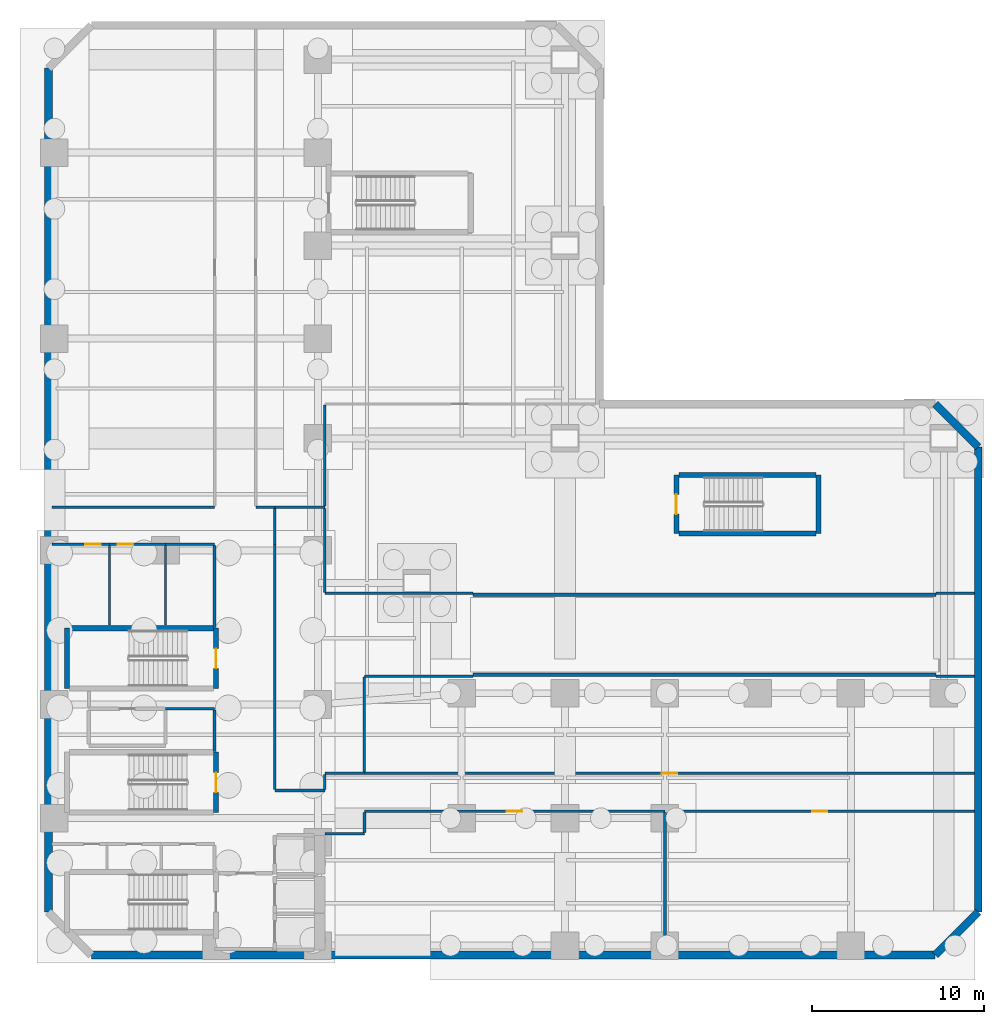
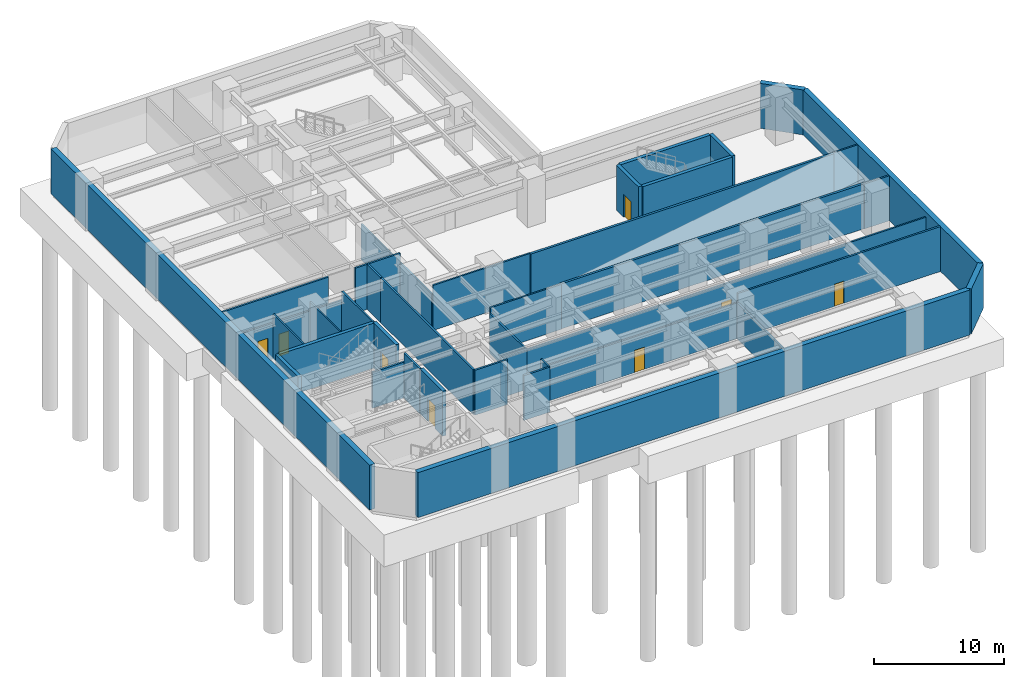
# One storey, part 4 of 10: 44 walls, 8 doors, 8 openings.
"""IFC4 building model written with IfcOpenShell, lengths in metres."""

import ifcopenshell
import ifcopenshell.guid

model = None  # the IFC model being written
_history = None  # IfcOwnerHistory: only IFC2X3 demands one
_inside = {}  # id of a spatial element -> (the spatial element, [elements in it])
_under = {}  # id of a project, library or spatial element -> (it, [spatial elements below it])
_declared = {}  # id of a project -> (the project, [libraries it declares])
_typed = {}  # id of a type object -> (the type object, [elements of that type])
_made_of = {}  # id of a material, layer set ... -> (it, [elements and type objects made of it])


def new_model(schema):
    """Start an empty IFC model of exactly this schema.

    Asked for "IFC4X3", IfcOpenShell would pick the latest addendum, in which some entities
    have other attributes; the version numbers below select the first issue.
    IFC2X3 requires an IfcOwnerHistory on every rooted entity: one is made here for all.
    """
    global model, _history
    if schema == "IFC4X3":
        model = ifcopenshell.file(schema_version=(4, 3, 0, 0))
    else:
        model = ifcopenshell.file(schema=schema)
    _inside.clear()
    _under.clear()
    _declared.clear()
    _typed.clear()
    _made_of.clear()
    _history = None
    if model.schema == "IFC2X3":
        org = make("IfcOrganization", Name="unknown")
        user = make(
            "IfcPersonAndOrganization",
            ThePerson=make("IfcPerson", FamilyName="unknown"),
            TheOrganization=org,
        )
        app = make(
            "IfcApplication",
            ApplicationDeveloper=org,
            Version="unknown",
            ApplicationFullName="unknown",
            ApplicationIdentifier="unknown",
        )
        _history = make(
            "IfcOwnerHistory",
            OwningUser=user,
            OwningApplication=app,
            ChangeAction="ADDED",
            CreationDate=0,
        )
    return model


def make(cls, **values):
    """One entity of the class cls with the attributes given. An attribute that is None is left unset."""
    return model.create_entity(
        cls, **{name: value for name, value in values.items() if value is not None}
    )


def rooted(cls, **values):
    """An entity with a GlobalId (a new one), such as an element, a storey or a relation."""
    return make(cls, GlobalId=ifcopenshell.guid.new(), OwnerHistory=_history, **values)


def si_unit(unit_type, name, prefix=None):
    """IfcSIUnit, for example si_unit("LENGTHUNIT", "METRE", prefix="MILLI")."""
    return make("IfcSIUnit", UnitType=unit_type, Prefix=prefix, Name=name)


def assignment(units):
    """IfcUnitAssignment: the units of a project."""
    return None if units is None else make("IfcUnitAssignment", Units=units)


def point(xyz):
    """IfcCartesianPoint."""
    return None if xyz is None else make("IfcCartesianPoint", Coordinates=xyz)


def direction(xyz):
    """IfcDirection."""
    return None if xyz is None else make("IfcDirection", DirectionRatios=xyz)


def frame(location, z_axis=None, x_axis=None):
    """IfcAxis2Placement3D, a coordinate frame: its origin and axes. An axis left out is left unset."""
    return make(
        "IfcAxis2Placement3D",
        Location=point(location),
        Axis=direction(z_axis),
        RefDirection=direction(x_axis),
    )


def frame_2d(location, x_axis=None):
    """IfcAxis2Placement2D, a coordinate frame in the plane: its origin and x axis."""
    return make(
        "IfcAxis2Placement2D", Location=point(location), RefDirection=direction(x_axis)
    )


def origin():
    """The frame at (0, 0, 0) with its axes left unset."""
    return frame((0.0, 0.0, 0.0))


def place(relative_to, where):
    """IfcLocalPlacement: puts the frame where relative to a parent placement (None: the world)."""
    return make(
        "IfcLocalPlacement", PlacementRelTo=relative_to, RelativePlacement=where
    )


def context(
    kind, dimensions, precision=None, world=None, true_north=None, identifier=None
):
    """IfcGeometricRepresentationContext, for example the 3D "Model" context."""
    return make(
        "IfcGeometricRepresentationContext",
        ContextIdentifier=identifier,
        ContextType=kind,
        CoordinateSpaceDimension=dimensions,
        Precision=precision,
        WorldCoordinateSystem=world,
        TrueNorth=true_north,
    )


def subcontext(parent, identifier, kind, view, scale=None):
    """IfcGeometricRepresentationSubContext, for example "Body" below "Model"."""
    return make(
        "IfcGeometricRepresentationSubContext",
        ContextIdentifier=identifier,
        ContextType=kind,
        ParentContext=parent,
        TargetScale=scale,
        TargetView=view,
    )


def project(units=None, contexts=None):
    """IfcProject with its units and contexts."""
    return rooted(
        "IfcProject",
        Name="project",
        RepresentationContexts=contexts,
        UnitsInContext=assignment(units),
    )


def spatial(cls, under=None, at=None, **own):
    """A site, building, storey or space (cls), placed at a placement, below another one or the project."""
    s = rooted(cls, ObjectPlacement=at, **own)
    if under is not None:
        _under.setdefault(under.id(), (under, []))[1].append(s)
    return s


def profile(cls, at=None, kind="AREA", **sizes):
    """A parametric profile (cls). Its sizes go by their IFC names, for example OverallWidth=200.0."""
    return make(cls, ProfileType=kind, Position=at, **sizes)


def rectangle(**sizes):
    """IfcRectangleProfileDef."""
    return profile("IfcRectangleProfileDef", **sizes)


def extrude(swept, where, along, depth):
    """IfcExtrudedAreaSolid: the profile swept, set in the frame where, extruded along a direction by depth."""
    return make(
        "IfcExtrudedAreaSolid",
        SweptArea=swept,
        Position=where,
        ExtrudedDirection=direction(along),
        Depth=depth,
    )


def shape(context_of_items, identifier, shape_type, items):
    """IfcShapeRepresentation: the items that make up one representation, for example the "Body"."""
    return make(
        "IfcShapeRepresentation",
        ContextOfItems=context_of_items,
        RepresentationIdentifier=identifier,
        RepresentationType=shape_type,
        Items=items,
    )


def material(Name=None, Category=None):
    """IfcMaterial."""
    return make("IfcMaterial", Name=Name, Category=Category)


def layer(
    of_material, thickness, ventilated=None, Name=None, Category=None, Priority=None
):
    """IfcMaterialLayer: one layer of a wall or slab, of a material (None: an air gap)."""
    return make(
        "IfcMaterialLayer",
        Material=of_material,
        LayerThickness=thickness,
        IsVentilated=ventilated,
        Name=Name,
        Category=Category,
        Priority=Priority,
    )


def layer_set(layers, Name=None):
    """IfcMaterialLayerSet."""
    return make("IfcMaterialLayerSet", MaterialLayers=layers, LayerSetName=Name)


def made_of(thing, what):
    """Note that an element or type object is made of a material, layer set ...; save() writes the relation."""
    if what is not None:
        _made_of.setdefault(what.id(), (what, []))[1].append(thing)
    return thing


def type_object(cls, material=None, **own):
    """A type object (cls), such as IfcWallType, which elements share."""
    return made_of(rooted(cls, **own), material)


def element(
    cls,
    number,
    at=None,
    inside=None,
    cuts=None,
    type_object=None,
    material=None,
    context=None,
    identifier="Body",
    shape_type=None,
    held_by="IfcProductDefinitionShape",
    body=None,
    shapes=None,
    **own,
):
    """One element of the class cls, such as IfcWall. Its Tag is "e" and its number.

    at: its placement. inside: the storey or other place that contains it. cuts: it is an
    opening in that element (IfcRelVoidsElement). A single representation is given by context,
    identifier, shape_type and body (its items); several are given by shapes. held_by: the class
    of the entity that holds the representations. save() writes the other relations.
    """
    e = rooted(cls, Tag="e%d" % number, ObjectPlacement=at, **own)
    if body is not None:
        shapes = [shape(context, identifier, shape_type, body)]
    if shapes is not None:
        e.Representation = make(held_by, Representations=shapes)
    if inside is not None:
        _inside.setdefault(inside.id(), (inside, []))[1].append(e)
    if cuts is not None:
        rooted(
            "IfcRelVoidsElement", RelatingBuildingElement=cuts, RelatedOpeningElement=e
        )
    if type_object is not None:
        _typed.setdefault(type_object.id(), (type_object, []))[1].append(e)
    return made_of(e, material)


def fill(opening, filler):
    """IfcRelFillsElement: the door or window that sits in an opening."""
    return rooted(
        "IfcRelFillsElement",
        RelatingOpeningElement=opening,
        RelatedBuildingElement=filler,
    )


def aggregate(whole, parts):
    """IfcRelAggregates: a whole, such as a stair, and the parts it consists of."""
    return rooted("IfcRelAggregates", RelatingObject=whole, RelatedObjects=parts)


def save(model, path):
    """Write the relations noted so far, then the file.

    IfcRelAggregates (storeys below a building ...), IfcRelContainedInSpatialStructure (elements
    in a storey), IfcRelDefinesByType, IfcRelAssociatesMaterial and IfcRelDeclares: one each for
    every whole, place, type object, material and project.
    """
    for whole, parts in _under.values():
        aggregate(whole, parts)
    for where, things in _inside.values():
        rooted(
            "IfcRelContainedInSpatialStructure",
            RelatedElements=things,
            RelatingStructure=where,
        )
    for kind, things in _typed.values():
        rooted("IfcRelDefinesByType", RelatedObjects=things, RelatingType=kind)
    for what, things in _made_of.values():
        rooted("IfcRelAssociatesMaterial", RelatedObjects=things, RelatingMaterial=what)
    for by, libraries in _declared.values():
        rooted("IfcRelDeclares", RelatingContext=by, RelatedDefinitions=libraries)
    model.write(path)


model = new_model("IFC4")

# Units and contexts
model_context = context("Model", 3, precision=1e-05, world=origin(), true_north=direction((0.0, 1.0)))
body_context = subcontext(model_context, "Body", "Model", "MODEL_VIEW")
ifc_project = project(units=[si_unit("LENGTHUNIT", "METRE"), si_unit("AREAUNIT", "SQUARE_METRE"), si_unit("VOLUMEUNIT", "CUBIC_METRE"), si_unit("PLANEANGLEUNIT", "RADIAN"), si_unit("MASSUNIT", "GRAM", prefix="KILO")], contexts=[model_context])

# Site, building, storey
site_placement = place(None, origin())
site = spatial("IfcSite", under=ifc_project, at=site_placement, CompositionType="ELEMENT")
building_placement = place(site_placement, origin())
building = spatial("IfcBuilding", under=site, at=building_placement, Name="Mawjaban Terraces University", CompositionType="ELEMENT")
storey_placement = place(building_placement, frame((0.0, 0.0, -9.0)))
storey = spatial("IfcBuildingStorey", under=building, at=storey_placement, Name="B2", CompositionType="ELEMENT", Elevation=-9.0)

# Walls
ifc_material_1 = material(Name="Concrete C50/60", Category="concrete")
ifc_layer_1 = layer(ifc_material_1, 0.449951171875)
ifc_layer_set_1 = layer_set([ifc_layer_1], Name="Concrete C50/60")
wall_type_1 = type_object("IfcWallType", Name="BsmtRetainingWall_450", PredefinedType="USERDEFINED", material=ifc_layer_set_1)
wall_1_placement = place(storey_placement, frame((24.5, 0.0, 0.0), z_axis=(0.0, 0.0, 1.0), x_axis=(1.0, 0.0, 0.0)))
element("IfcWall", 1, at=wall_1_placement, inside=storey, type_object=wall_type_1, Name="B2 Perimeter Retaining Wall 1", ObjectType="RETAININGWALL", PredefinedType="USERDEFINED", context=body_context, shape_type="SweptSolid", body=[
    extrude(rectangle(XDim=49.0, YDim=0.449951171875, at=frame_2d((24.5, 0.0))), origin(), (0.0, 0.0, 1.0), 4.219970703125),
])
wall_2_placement = place(storey_placement, frame((73.5, 0.0, 0.0), z_axis=(0.0, 0.0, 1.0), x_axis=(0.707106781187, 0.707106781187, 0.0)))
element("IfcWall", 2, at=wall_2_placement, inside=storey, type_object=wall_type_1, Name="B2 Perimeter Retaining Wall 2", ObjectType="RETAININGWALL", PredefinedType="USERDEFINED", context=body_context, shape_type="SweptSolid", body=[
    extrude(rectangle(XDim=3.53564453125, YDim=0.449951171875, at=frame_2d((1.767822265625, 0.0))), origin(), (0.0, 0.0, 1.0), 4.219970703125),
])
wall_3_placement = place(storey_placement, frame((76.0, 2.5, 0.0), z_axis=(0.0, 0.0, 1.0), x_axis=(0.0, 1.0, 0.0)))
element("IfcWall", 3, at=wall_3_placement, inside=storey, type_object=wall_type_1, Name="B2 Perimeter Retaining Wall 3", ObjectType="RETAININGWALL", PredefinedType="USERDEFINED", context=body_context, shape_type="SweptSolid", body=[
    extrude(rectangle(XDim=27.0, YDim=0.449951171875, at=frame_2d((13.5, 0.0))), origin(), (0.0, 0.0, 1.0), 4.219970703125),
])
wall_4_placement = place(storey_placement, frame((76.0, 29.5, 0.0), z_axis=(0.0, 0.0, 1.0), x_axis=(-0.707106781187, 0.707106781187, 0.0)))
element("IfcWall", 4, at=wall_4_placement, inside=storey, type_object=wall_type_1, Name="B2 Perimeter Retaining Wall 4", ObjectType="RETAININGWALL", PredefinedType="USERDEFINED", context=body_context, shape_type="SweptSolid", body=[
    extrude(rectangle(XDim=3.53564453125, YDim=0.449951171875, at=frame_2d((1.767822265625, 0.0))), origin(), (0.0, 0.0, 1.0), 4.219970703125),
])
wall_5_placement = place(storey_placement, frame((22.0, 51.5, 0.0), z_axis=(0.0, 0.0, 1.0), x_axis=(0.0, -1.0, 0.0)))
element("IfcWall", 5, at=wall_5_placement, inside=storey, type_object=wall_type_1, Name="B2 Perimeter Retaining Wall 10", ObjectType="RETAININGWALL", PredefinedType="USERDEFINED", context=body_context, shape_type="SweptSolid", body=[
    extrude(rectangle(XDim=49.0, YDim=0.449951171875, at=frame_2d((24.5, 0.0))), origin(), (0.0, 0.0, 1.0), 4.219970703125),
])

# Wall, opening, door
ifc_material_2 = material(Name="Fire-rated gypsum board on steel stud", Category="steel")
ifc_layer_2 = layer(ifc_material_2, 0.159912109375)
ifc_layer_set_2 = layer_set([ifc_layer_2], Name="Fire-rated gypsum board on steel stud")
wall_type_2 = type_object("IfcWallType", Name="CorridorPartition_160", PredefinedType="PARTITIONING", material=ifc_layer_set_2)
wall_6_placement = place(storey_placement, frame((25.550048828125, 23.85009765625, 0.0), z_axis=(0.0, 0.0, 1.0), x_axis=(-1.0, 0.0, 0.0)))
wall_6 = element("IfcWall", 6, at=wall_6_placement, inside=storey, type_object=wall_type_2, Name="B2 Ablution Room Partition 5", PredefinedType="PARTITIONING", context=body_context, shape_type="SweptSolid", body=[
    extrude(rectangle(XDim=3.330078125, YDim=0.159912109375, at=frame_2d((1.6650390625, 0.0))), origin(), (0.0, 0.0, 1.0), 3.364990234375),
])
opening_1_placement = place(wall_6_placement, frame((0.52490234375, 0.0, 0.0)))
opening_1 = element("IfcOpeningElement", 7, at=opening_1_placement, cuts=wall_6, Name="Opening ID-088", PredefinedType="OPENING", context=body_context, shape_type="SweptSolid", body=[
    extrude(rectangle(XDim=0.8798828125, YDim=2.10009765625, at=frame_2d((0.43994140625, 1.050048828125))), frame((0.0, 0.08984375, 0.0), z_axis=(0.0, -1.0, 0.0), x_axis=(1.0, 0.0, 0.0)), (0.0, 0.0, 1.0), 0.179931640625),
])
ifc_material_3 = material(Name="Powder-coated steel frame and solid acoustic timber leaf", Category="steel")
door_type_1 = type_object("IfcDoorType", Name="ToiletDoor_880x2100", OperationType="NOTDEFINED", PredefinedType="DOOR", material=ifc_material_3)
door_1_placement = place(opening_1_placement, origin())
door_1 = element("IfcDoor", 8, at=door_1_placement, inside=storey, type_object=door_type_1, Name="B2 Ablution Room Door", OperationType="SINGLE_SWING_RIGHT", OverallHeight=2.10009765625, OverallWidth=0.8798828125, PredefinedType="DOOR", context=body_context, shape_type="SweptSolid", body=[
    extrude(rectangle(XDim=0.8798828125, YDim=2.10009765625, at=frame_2d((0.43994140625, 1.050048828125))), frame((0.0, 0.02490234375, 0.0), z_axis=(0.0, -1.0, 0.0), x_axis=(1.0, 0.0, 0.0)), (0.0, 0.0, 1.0), 0.050048828125),
])
fill(opening_1, door_1)

# Wall
wall_7_placement = place(storey_placement, frame((28.800048828125, 14.300048828125, 0.0), z_axis=(0.0, 0.0, 1.0), x_axis=(1.0, 0.0, 0.0)))
element("IfcWall", 9, at=wall_7_placement, inside=storey, type_object=wall_type_2, Name="B2 Core Riser Access Passage Partition 7", PredefinedType="PARTITIONING", context=body_context, shape_type="SweptSolid", body=[
    extrude(rectangle(XDim=2.849853515625, YDim=0.159912109375, at=frame_2d((1.4248046875, 0.0))), origin(), (0.0, 0.0, 1.0), 3.364990234375),
])

# Wall, opening, door
wall_8_placement = place(storey_placement, frame((28.800048828125, 23.85009765625, 0.0), z_axis=(0.0, 0.0, 1.0), x_axis=(-1.0, 0.0, 0.0)))
wall_8 = element("IfcWall", 10, at=wall_8_placement, inside=storey, type_object=wall_type_2, Name="B2 Cleaner Store Partition 8", PredefinedType="PARTITIONING", context=body_context, shape_type="SweptSolid", body=[
    extrude(rectangle(XDim=3.25, YDim=0.159912109375, at=frame_2d((1.625, 0.0))), origin(), (0.0, 0.0, 1.0), 3.364990234375),
])
opening_2_placement = place(wall_8_placement, frame((1.875, 0.0, 0.0)))
opening_2 = element("IfcOpeningElement", 11, at=opening_2_placement, cuts=wall_8, Name="Opening ID-090", PredefinedType="OPENING", context=body_context, shape_type="SweptSolid", body=[
    extrude(rectangle(XDim=0.89990234375, YDim=2.10009765625, at=frame_2d((0.449951171875, 1.050048828125))), frame((0.0, 0.08984375, 0.0), z_axis=(0.0, -1.0, 0.0), x_axis=(1.0, 0.0, 0.0)), (0.0, 0.0, 1.0), 0.179931640625),
])
door_type_2 = type_object("IfcDoorType", Name="OfficeDoor_900x2100", OperationType="NOTDEFINED", PredefinedType="DOOR", material=ifc_material_3)
door_2_placement = place(opening_2_placement, origin())
door_2 = element("IfcDoor", 12, at=door_2_placement, inside=storey, type_object=door_type_2, Name="B2 Cleaner Store Door", OperationType="SINGLE_SWING_LEFT", OverallHeight=2.10009765625, OverallWidth=0.89990234375, PredefinedType="DOOR", context=body_context, shape_type="SweptSolid", body=[
    extrude(rectangle(XDim=0.89990234375, YDim=2.10009765625, at=frame_2d((0.449951171875, 1.050048828125))), frame((0.0, 0.02490234375, 0.0), z_axis=(0.0, -1.0, 0.0), x_axis=(1.0, 0.0, 0.0)), (0.0, 0.0, 1.0), 0.050048828125),
])
fill(opening_2, door_2)

# Walls
wall_9_placement = place(storey_placement, frame((28.800048828125, 23.85009765625, 0.0), z_axis=(0.0, 0.0, 1.0), x_axis=(1.0, 0.0, 0.0)))
element("IfcWall", 13, at=wall_9_placement, inside=storey, type_object=wall_type_2, Name="B2 North Core Cross-Corridor Partition 9", PredefinedType="PARTITIONING", context=body_context, shape_type="SweptSolid", body=[
    extrude(rectangle(XDim=2.849853515625, YDim=0.159912109375, at=frame_2d((1.4248046875, 0.0))), origin(), (0.0, 0.0, 1.0), 3.364990234375),
])
wall_10_placement = place(storey_placement, frame((31.64990234375, 26.0, 0.0), z_axis=(0.0, 0.0, 1.0), x_axis=(-1.0, 0.0, 0.0)))
element("IfcWall", 14, at=wall_10_placement, inside=storey, type_object=wall_type_2, Name="B2 North Core Cross-Corridor Partition 11", PredefinedType="PARTITIONING", context=body_context, shape_type="SweptSolid", body=[
    extrude(rectangle(XDim=9.429931640625, YDim=0.159912109375, at=frame_2d((4.71484375, 0.0))), origin(), (0.0, 0.0, 1.0), 4.219970703125),
])
wall_11_placement = place(storey_placement, frame((35.14990234375, 26.0, 0.0), z_axis=(0.0, 0.0, 1.0), x_axis=(-1.0, 0.0, 0.0)))
element("IfcWall", 15, at=wall_11_placement, inside=storey, type_object=wall_type_2, Name="B2 North Core Cross-Corridor Partition 13", PredefinedType="PARTITIONING", context=body_context, shape_type="SweptSolid", body=[
    extrude(rectangle(XDim=1.099853515625, YDim=0.159912109375, at=frame_2d((0.5498046875, 0.0))), origin(), (0.0, 0.0, 1.0), 4.219970703125),
])
wall_12_placement = place(storey_placement, frame((38.050048828125, 7.050048828125, 0.0), z_axis=(0.0, 0.0, 1.0), x_axis=(1.0, 0.0, 0.0)))
element("IfcWall", 16, at=wall_12_placement, inside=storey, type_object=wall_type_2, Name="B2 Basement Core East Vestibule Partition 15", PredefinedType="PARTITIONING", context=body_context, shape_type="SweptSolid", body=[
    extrude(rectangle(XDim=2.300048828125, YDim=0.159912109375, at=frame_2d((1.14990234375, 0.0))), origin(), (0.0, 0.0, 1.0), 4.219970703125),
])
wall_13_placement = place(storey_placement, frame((38.050048828125, 9.550048828125, 0.0), z_axis=(0.0, 0.0, 1.0), x_axis=(-1.0, 0.0, 0.0)))
element("IfcWall", 17, at=wall_13_placement, inside=storey, type_object=wall_type_2, Name="B2 Core Stair and Lift Lobby East Partition 16", PredefinedType="PARTITIONING", context=body_context, shape_type="SweptSolid", body=[
    extrude(rectangle(XDim=2.900146484375, YDim=0.159912109375, at=frame_2d((1.4501953125, 0.0))), origin(), (0.0, 0.0, 1.0), 4.219970703125),
])
wall_14_placement = place(storey_placement, frame((40.35009765625, 10.550048828125, 0.0), z_axis=(0.0, 0.0, 1.0), x_axis=(-1.0, 0.0, 0.0)))
element("IfcWall", 18, at=wall_14_placement, inside=storey, type_object=wall_type_2, Name="B2 Basement Core East Vestibule Partition 19", PredefinedType="PARTITIONING", context=body_context, shape_type="SweptSolid", body=[
    extrude(rectangle(XDim=2.300048828125, YDim=0.159912109375, at=frame_2d((1.14990234375, 0.0))), origin(), (0.0, 0.0, 1.0), 3.7509765625),
])

# Wall, opening, door
wall_15_placement = place(storey_placement, frame((57.800048828125, 8.35009765625, 0.0), z_axis=(0.0, 0.0, 1.0), x_axis=(1.0, 0.0, 0.0)))
wall_15 = element("IfcWall", 19, at=wall_15_placement, inside=storey, type_object=wall_type_2, Name="B2 Basement Plant Corridor East Partition 22", PredefinedType="PARTITIONING", context=body_context, shape_type="SweptSolid", body=[
    extrude(rectangle(XDim=17.97998046875, YDim=0.159912109375, at=frame_2d((8.989990234375, 0.0))), origin(), (0.0, 0.0, 1.0), 4.219970703125),
])
opening_3_placement = place(wall_15_placement, frame((8.56494140625, 0.0, 0.0)))
opening_3 = element("IfcOpeningElement", 20, at=opening_3_placement, cuts=wall_15, Name="Opening FD-085", PredefinedType="OPENING", context=body_context, shape_type="SweptSolid", body=[
    extrude(rectangle(XDim=0.85009765625, YDim=2.10009765625, at=frame_2d((0.425048828125, 1.050048828125))), frame((0.0, 0.08984375, 0.0), z_axis=(0.0, -1.0, 0.0), x_axis=(1.0, 0.0, 0.0)), (0.0, 0.0, 1.0), 0.179931640625),
])
ifc_material_4 = material(Name="Powder-coated steel frame and fire-rated steel-faced leaf", Category="steel")
door_type_3 = type_object("IfcDoorType", Name="FireRiserDoor_850x2100", OperationType="NOTDEFINED", PredefinedType="DOOR", material=ifc_material_4)
door_3_placement = place(opening_3_placement, origin())
door_3 = element("IfcDoor", 21, at=door_3_placement, inside=storey, type_object=door_type_3, Name="B2 Fire and Domestic Water Tank Room Door", OperationType="SINGLE_SWING_LEFT", OverallHeight=2.10009765625, OverallWidth=0.85009765625, PredefinedType="DOOR", context=body_context, shape_type="SweptSolid", body=[
    extrude(rectangle(XDim=0.85009765625, YDim=2.10009765625, at=frame_2d((0.425048828125, 1.050048828125))), frame((0.0, 0.02490234375, 0.0), z_axis=(0.0, -1.0, 0.0), x_axis=(1.0, 0.0, 0.0)), (0.0, 0.0, 1.0), 0.050048828125),
])
fill(opening_3, door_3)

# Walls
wall_16_placement = place(storey_placement, frame((31.64990234375, 14.22509765625, 0.0), z_axis=(0.0, 0.0, 1.0), x_axis=(0.0, -1.0, 0.0)))
element("IfcWall", 22, at=wall_16_placement, inside=storey, type_object=wall_type_2, Name="B2 Passenger Lift Lobby Partition 34", PredefinedType="PARTITIONING", context=body_context, shape_type="SweptSolid", body=[
    extrude(rectangle(XDim=2.4150390625, YDim=0.159912109375, at=frame_2d((1.20751953125, 0.0))), origin(), (0.0, 0.0, 1.0), 4.219970703125),
])
wall_17_placement = place(storey_placement, frame((31.64990234375, 23.77490234375, 0.0), z_axis=(0.0, 0.0, 1.0), x_axis=(0.0, -1.0, 0.0)))
element("IfcWall", 23, at=wall_17_placement, inside=storey, type_object=wall_type_2, Name="B2 Passenger Lift Lobby Partition 35", PredefinedType="PARTITIONING", context=body_context, shape_type="SweptSolid", body=[
    extrude(rectangle(XDim=4.764892578125, YDim=0.159912109375, at=frame_2d((2.38232421875, 0.0))), origin(), (0.0, 0.0, 1.0), 4.219970703125),
])
wall_18_placement = place(storey_placement, frame((35.14990234375, 9.625, 0.0), z_axis=(0.0, 0.0, 1.0), x_axis=(0.0, 1.0, 0.0)))
element("IfcWall", 24, at=wall_18_placement, inside=storey, type_object=wall_type_2, Name="B2 Passenger Lift Lobby Partition 38", PredefinedType="PARTITIONING", context=body_context, shape_type="SweptSolid", body=[
    extrude(rectangle(XDim=14.22509765625, YDim=0.159912109375, at=frame_2d((7.112548828125, 0.0))), origin(), (0.0, 0.0, 1.0), 4.219970703125),
])
wall_19_placement = place(storey_placement, frame((35.14990234375, 23.85009765625, 0.0), z_axis=(0.0, 0.0, 1.0), x_axis=(0.0, 1.0, 0.0)))
element("IfcWall", 25, at=wall_19_placement, inside=storey, type_object=wall_type_2, Name="B2 North Core Cross-Corridor Partition 39", PredefinedType="PARTITIONING", context=body_context, shape_type="SweptSolid", body=[
    extrude(rectangle(XDim=2.074951171875, YDim=0.159912109375, at=frame_2d((1.03759765625, 0.0))), origin(), (0.0, 0.0, 1.0), 4.219970703125),
])
wall_20_placement = place(storey_placement, frame((38.050048828125, 10.47509765625, 0.0), z_axis=(0.0, 0.0, 1.0), x_axis=(0.0, -1.0, 0.0)))
element("IfcWall", 26, at=wall_20_placement, inside=storey, type_object=wall_type_2, Name="B2 Basement Core East Vestibule Partition 40", PredefinedType="PARTITIONING", context=body_context, shape_type="SweptSolid", body=[
    extrude(rectangle(XDim=0.85009765625, YDim=0.159912109375, at=frame_2d((0.425048828125, 0.0))), origin(), (0.0, 0.0, 1.0), 3.364990234375),
])
wall_21_placement = place(storey_placement, frame((40.35009765625, 7.125, 0.0), z_axis=(0.0, 0.0, 1.0), x_axis=(0.0, 1.0, 0.0)))
element("IfcWall", 27, at=wall_21_placement, inside=storey, type_object=wall_type_2, Name="B2 Basement Core East Vestibule Partition 43", PredefinedType="PARTITIONING", context=body_context, shape_type="SweptSolid", body=[
    extrude(rectangle(XDim=1.156982421875, YDim=0.159912109375, at=frame_2d((0.57861328125, 0.0))), origin(), (0.0, 0.0, 1.0), 4.219970703125),
])
wall_22_placement = place(storey_placement, frame((57.800048828125, 0.219970703125, 0.0), z_axis=(0.0, 0.0, 1.0), x_axis=(0.0, 1.0, 0.0)))
element("IfcWall", 28, at=wall_22_placement, inside=storey, type_object=wall_type_2, Name="B2 Central Chiller Plant Hall Partition 45", PredefinedType="PARTITIONING", context=body_context, shape_type="SweptSolid", body=[
    extrude(rectangle(XDim=8.054931640625, YDim=0.159912109375, at=frame_2d((4.02734375, 0.0))), origin(), (0.0, 0.0, 1.0), 3.364990234375),
])
ifc_material_5 = material(Name="Concrete C40/50", Category="concrete")
ifc_layer_3 = layer(ifc_material_5, 0.199951171875)
ifc_layer_set_3 = layer_set([ifc_layer_3], Name="Concrete C40/50")
wall_type_3 = type_object("IfcWallType", Name="FireLobbyWall_200", PredefinedType="SOLIDWALL", material=ifc_layer_set_3)
for number, where, z_axis, x_axis, name in (
    (29, (46.64990234375, 16.280029296875, 0.0), (0.0, 0.0, 1.0), (1.0, 0.0, 0.0), "B2 Vehicle Ramp Enclosure Wall S"),
    (30, (46.64990234375, 20.919921875, 0.0), (0.0, 0.0, 1.0), (1.0, 0.0, 0.0), "B2 Vehicle Ramp Enclosure Wall N"),
):
    element("IfcWall", number, at=place(storey_placement, frame(where, z_axis=z_axis, x_axis=x_axis)), inside=storey, type_object=wall_type_3, Name=name, PredefinedType="SOLIDWALL", context=body_context, shape_type="SweptSolid", body=[
        extrude(rectangle(XDim=26.900146484375, YDim=0.199951171875, at=frame_2d((13.4501953125, 0.0))), origin(), (0.0, 0.0, 1.0), 4.219970703125),
    ])
ifc_material_6 = material(Name="Moisture-resistant gypsum board on steel stud", Category="steel")
ifc_layer_4 = layer(ifc_material_6, 0.14501953125)
ifc_layer_set_4 = layer_set([ifc_layer_4], Name="Moisture-resistant gypsum board on steel stud")
wall_type_4 = type_object("IfcWallType", Name="LabPartition_145", PredefinedType="PARTITIONING", material=ifc_layer_set_4)
wall_23_placement = place(storey_placement, frame((35.14990234375, 26.0, 0.0), z_axis=(0.0, 0.0, 1.0), x_axis=(1.0, 0.0, 0.0)))
element("IfcWall", 31, at=wall_23_placement, inside=storey, type_object=wall_type_4, Name="B2 University Central Archive Vault 2 Partition 14", PredefinedType="PARTITIONING", context=body_context, shape_type="SweptSolid", body=[
    extrude(rectangle(XDim=2.900146484375, YDim=0.14501953125, at=frame_2d((1.4501953125, 0.0))), origin(), (0.0, 0.0, 1.0), 4.219970703125),
])
wall_24_placement = place(storey_placement, frame((38.050048828125, 21.0, 0.0), z_axis=(0.0, 0.0, 1.0), x_axis=(1.0, 0.0, 0.0)))
element("IfcWall", 32, at=wall_24_placement, inside=storey, type_object=wall_type_4, Name="B2 Greywater and Condensate Treatment Plant Partition 17", PredefinedType="PARTITIONING", context=body_context, shape_type="SweptSolid", body=[
    extrude(rectangle(XDim=8.599853515625, YDim=0.14501953125, at=frame_2d((4.2998046875, 0.0))), origin(), (0.0, 0.0, 1.0), 4.219970703125),
])

# Wall, opening, door
wall_25_placement = place(storey_placement, frame((40.35009765625, 8.35009765625, 0.0), z_axis=(0.0, 0.0, 1.0), x_axis=(1.0, 0.0, 0.0)))
wall_25 = element("IfcWall", 33, at=wall_25_placement, inside=storey, type_object=wall_type_4, Name="B2 Basement Plant Corridor East Partition 18", PredefinedType="PARTITIONING", context=body_context, shape_type="SweptSolid", body=[
    extrude(rectangle(XDim=17.449951171875, YDim=0.14501953125, at=frame_2d((8.72509765625, 0.0))), origin(), (0.0, 0.0, 1.0), 3.364990234375),
])
opening_4_placement = place(wall_25_placement, frame((8.27490234375, 0.0, 0.0)))
opening_4 = element("IfcOpeningElement", 34, at=opening_4_placement, cuts=wall_25, Name="Opening ID-090", PredefinedType="OPENING", context=body_context, shape_type="SweptSolid", body=[
    extrude(rectangle(XDim=0.89990234375, YDim=2.10009765625, at=frame_2d((0.449951171875, 1.050048828125))), frame((0.0, 0.08251953125, 0.0), z_axis=(0.0, -1.0, 0.0), x_axis=(1.0, 0.0, 0.0)), (0.0, 0.0, 1.0), 0.1650390625),
])
door_4_placement = place(opening_4_placement, origin())
door_4 = element("IfcDoor", 35, at=door_4_placement, inside=storey, type_object=door_type_2, Name="B2 Central Chiller Plant Hall Door", OperationType="SINGLE_SWING_RIGHT", OverallHeight=2.10009765625, OverallWidth=0.89990234375, PredefinedType="DOOR", context=body_context, shape_type="SweptSolid", body=[
    extrude(rectangle(XDim=0.89990234375, YDim=2.10009765625, at=frame_2d((0.449951171875, 1.050048828125))), frame((0.0, 0.02490234375, 0.0), z_axis=(0.0, -1.0, 0.0), x_axis=(1.0, 0.0, 0.0)), (0.0, 0.0, 1.0), 0.050048828125),
])
fill(opening_4, door_4)

# Walls
wall_26_placement = place(storey_placement, frame((46.64990234375, 16.199951171875, 0.0), z_axis=(0.0, 0.0, 1.0), x_axis=(-1.0, 0.0, 0.0)))
element("IfcWall", 36, at=wall_26_placement, inside=storey, type_object=wall_type_4, Name="B2 Medium Voltage Substation Room Partition 20", PredefinedType="PARTITIONING", context=body_context, shape_type="SweptSolid", body=[
    extrude(rectangle(XDim=6.2998046875, YDim=0.14501953125, at=frame_2d((3.14990234375, 0.0))), origin(), (0.0, 0.0, 1.0), 4.219970703125),
])
wall_27_placement = place(storey_placement, frame((73.550048828125, 21.0, 0.0), z_axis=(0.0, 0.0, 1.0), x_axis=(1.0, 0.0, 0.0)))
element("IfcWall", 37, at=wall_27_placement, inside=storey, type_object=wall_type_4, Name="B2 Greywater and Condensate Treatment Plant Partition 23", PredefinedType="PARTITIONING", context=body_context, shape_type="SweptSolid", body=[
    extrude(rectangle(XDim=2.22998046875, YDim=0.14501953125, at=frame_2d((1.114990234375, 0.0))), origin(), (0.0, 0.0, 1.0), 4.219970703125),
])

# Wall, opening, door
wall_28_placement = place(storey_placement, frame((75.780029296875, 10.550048828125, 0.0), z_axis=(0.0, 0.0, 1.0), x_axis=(-1.0, 0.0, 0.0)))
wall_28 = element("IfcWall", 38, at=wall_28_placement, inside=storey, type_object=wall_type_4, Name="B2 Basement Plant Corridor East Partition 24", PredefinedType="PARTITIONING", context=body_context, shape_type="SweptSolid", body=[
    extrude(rectangle(XDim=35.429931640625, YDim=0.14501953125, at=frame_2d((17.71484375, 0.0))), origin(), (0.0, 0.0, 1.0), 3.7509765625),
])
opening_5_placement = place(wall_28_placement, frame((17.264892578125, 0.0, 0.0)))
opening_5 = element("IfcOpeningElement", 39, at=opening_5_placement, cuts=wall_28, Name="Opening ID-090", PredefinedType="OPENING", context=body_context, shape_type="SweptSolid", body=[
    extrude(rectangle(XDim=0.89990234375, YDim=2.10009765625, at=frame_2d((0.449951171875, 1.050048828125))), frame((0.0, 0.08251953125, 0.0), z_axis=(0.0, -1.0, 0.0), x_axis=(1.0, 0.0, 0.0)), (0.0, 0.0, 1.0), 0.1650390625),
])
door_5_placement = place(opening_5_placement, origin())
door_5 = element("IfcDoor", 40, at=door_5_placement, inside=storey, type_object=door_type_2, Name="B2 Medium Voltage Substation Room Door", OperationType="SINGLE_SWING_RIGHT", OverallHeight=2.10009765625, OverallWidth=0.89990234375, PredefinedType="DOOR", context=body_context, shape_type="SweptSolid", body=[
    extrude(rectangle(XDim=0.89990234375, YDim=2.10009765625, at=frame_2d((0.449951171875, 1.050048828125))), frame((0.0, 0.02490234375, 0.0), z_axis=(0.0, -1.0, 0.0), x_axis=(1.0, 0.0, 0.0)), (0.0, 0.0, 1.0), 0.050048828125),
])
fill(opening_5, door_5)

# Walls
wall_29_placement = place(storey_placement, frame((75.780029296875, 16.199951171875, 0.0), z_axis=(0.0, 0.0, 1.0), x_axis=(-1.0, 0.0, 0.0)))
element("IfcWall", 41, at=wall_29_placement, inside=storey, type_object=wall_type_4, Name="B2 Medium Voltage Substation Room Partition 25", PredefinedType="PARTITIONING", context=body_context, shape_type="SweptSolid", body=[
    extrude(rectangle(XDim=2.22998046875, YDim=0.14501953125, at=frame_2d((1.114990234375, 0.0))), origin(), (0.0, 0.0, 1.0), 4.219970703125),
])
wall_30_placement = place(storey_placement, frame((38.050048828125, 25.93310546875, 0.0), z_axis=(0.0, 0.0, 1.0), x_axis=(0.0, -1.0, 0.0)))
element("IfcWall", 42, at=wall_30_placement, inside=storey, type_object=wall_type_4, Name="B2 Greywater and Condensate Treatment Plant Partition 41", PredefinedType="PARTITIONING", context=body_context, shape_type="SweptSolid", body=[
    extrude(rectangle(XDim=4.8662109375, YDim=0.14501953125, at=frame_2d((2.43310546875, 0.0))), origin(), (0.0, 0.0, 1.0), 3.364990234375),
])
wall_31_placement = place(storey_placement, frame((38.050048828125, 31.93310546875, 0.0), z_axis=(0.0, 0.0, 1.0), x_axis=(0.0, -1.0, 0.0)))
element("IfcWall", 43, at=wall_31_placement, inside=storey, type_object=wall_type_4, Name="B2 Greywater and Condensate Treatment Plant Partition 42", PredefinedType="PARTITIONING", context=body_context, shape_type="SweptSolid", body=[
    extrude(rectangle(XDim=5.8662109375, YDim=0.14501953125, at=frame_2d((2.93310546875, 0.0))), origin(), (0.0, 0.0, 1.0), 3.364990234375),
])
wall_32_placement = place(storey_placement, frame((40.35009765625, 16.133056640625, 0.0), z_axis=(0.0, 0.0, 1.0), x_axis=(0.0, -1.0, 0.0)))
element("IfcWall", 44, at=wall_32_placement, inside=storey, type_object=wall_type_4, Name="B2 Medium Voltage Substation Room Partition 44", PredefinedType="PARTITIONING", context=body_context, shape_type="SweptSolid", body=[
    extrude(rectangle(XDim=5.508056640625, YDim=0.14501953125, at=frame_2d((2.75390625, 0.0))), origin(), (0.0, 0.0, 1.0), 3.7509765625),
])
ifc_material_7 = material(Name="Gypsum plasterboard on steel stud", Category="steel")
ifc_layer_5 = layer(ifc_material_7, 0.125)
ifc_layer_set_5 = layer_set([ifc_layer_5], Name="Gypsum plasterboard on steel stud")
wall_type_5 = type_object("IfcWallType", Name="OfficePartition_125", PredefinedType="PARTITIONING", material=ifc_layer_set_5)
wall_33_placement = place(storey_placement, frame((28.800048828125, 19.159912109375, 0.0), z_axis=(0.0, 0.0, 1.0), x_axis=(0.0, 1.0, 0.0)))
element("IfcWall", 45, at=wall_33_placement, inside=storey, type_object=wall_type_5, Name="B2 Cleaner Store Partition 32", PredefinedType="PARTITIONING", context=body_context, shape_type="SweptSolid", body=[
    extrude(rectangle(XDim=4.614990234375, YDim=0.125, at=frame_2d((2.3076171875, 0.0))), origin(), (0.0, 0.0, 1.0), 4.219970703125),
])
ifc_material_8 = material(Name="Concrete C60/75", Category="concrete")
ifc_layer_6 = layer(ifc_material_8, 0.300048828125)
ifc_layer_set_6 = layer_set([ifc_layer_6], Name="Concrete C60/75")
wall_type_6 = type_object("IfcWallType", Name="StairShaftWall_300", PredefinedType="SHEAR", material=ifc_layer_set_6)
wall_34_placement = place(storey_placement, frame((31.580078125, 18.97998046875, 0.0), z_axis=(0.0, 0.0, 1.0), x_axis=(-1.0, 0.0, 0.0)))
element("IfcWall", 46, at=wall_34_placement, inside=storey, type_object=wall_type_6, Name="B2 ST-2 Stair Shaft Wall 1", PredefinedType="SHEAR", context=body_context, shape_type="SweptSolid", body=[
    extrude(rectangle(XDim=8.360107421875, YDim=0.300048828125, at=frame_2d((4.18017578125, 0.0))), origin(), (0.0, 0.0, 1.0), 4.219970703125),
])
wall_35_placement = place(storey_placement, frame((23.070068359375, 18.97998046875, 0.0), z_axis=(0.0, 0.0, 1.0), x_axis=(0.0, -1.0, 0.0)))
element("IfcWall", 47, at=wall_35_placement, inside=storey, type_object=wall_type_6, Name="B2 ST-2 Stair Shaft Wall 2", PredefinedType="SHEAR", context=body_context, shape_type="SweptSolid", body=[
    extrude(rectangle(XDim=3.510009765625, YDim=0.300048828125, at=frame_2d((1.7548828125, 0.0))), origin(), (0.0, 0.0, 1.0), 4.219970703125),
])

# Wall, opening, door
wall_36_placement = place(storey_placement, frame((31.72998046875, 15.469970703125, 0.0), z_axis=(0.0, 0.0, 1.0), x_axis=(0.0, 1.0, 0.0)))
wall_36 = element("IfcWall", 48, at=wall_36_placement, inside=storey, type_object=wall_type_6, Name="B2 ST-2 Stair Shaft Wall 4", PredefinedType="SHEAR", context=body_context, shape_type="SweptSolid", body=[
    extrude(rectangle(XDim=3.510009765625, YDim=0.300048828125, at=frame_2d((1.7548828125, 0.0))), origin(), (0.0, 0.0, 1.0), 4.219970703125),
])
opening_6_placement = place(wall_36_placement, frame((1.179931640625, 0.0, 0.0)))
opening_6 = element("IfcOpeningElement", 49, at=opening_6_placement, cuts=wall_36, Name="Opening FD-115", PredefinedType="OPENING", context=body_context, shape_type="SweptSolid", body=[
    extrude(rectangle(XDim=1.14990234375, YDim=2.14990234375, at=frame_2d((0.574951171875, 1.074951171875))), frame((0.0, 0.159912109375, 0.0), z_axis=(0.0, -1.0, 0.0), x_axis=(1.0, 0.0, 0.0)), (0.0, 0.0, 1.0), 0.320068359375),
])
door_type_4 = type_object("IfcDoorType", Name="FireStairDoor_1150x2150", OperationType="NOTDEFINED", PredefinedType="DOOR", material=ifc_material_4)
door_6_placement = place(opening_6_placement, origin())
door_6 = element("IfcDoor", 50, at=door_6_placement, inside=storey, type_object=door_type_4, Name="B2 ST-2 Pressurised Stair Fire Door", OperationType="SINGLE_SWING_LEFT", OverallHeight=2.14990234375, OverallWidth=1.14990234375, PredefinedType="DOOR", context=body_context, shape_type="SweptSolid", body=[
    extrude(rectangle(XDim=1.14990234375, YDim=2.14990234375, at=frame_2d((0.574951171875, 1.074951171875))), frame((0.0, 0.02490234375, 0.0), z_axis=(0.0, -1.0, 0.0), x_axis=(1.0, 0.0, 0.0)), (0.0, 0.0, 1.0), 0.050048828125),
])
fill(opening_6, door_6)

wall_37_placement = place(storey_placement, frame((31.72998046875, 8.27001953125, 0.0), z_axis=(0.0, 0.0, 1.0), x_axis=(0.0, 1.0, 0.0)))
wall_37 = element("IfcWall", 51, at=wall_37_placement, inside=storey, type_object=wall_type_6, Name="B2 ST-3 Stair Shaft Wall 4", PredefinedType="SHEAR", context=body_context, shape_type="SweptSolid", body=[
    extrude(rectangle(XDim=3.510009765625, YDim=0.300048828125, at=frame_2d((1.7548828125, 0.0))), origin(), (0.0, 0.0, 1.0), 4.219970703125),
])
opening_7_placement = place(wall_37_placement, frame((1.179931640625, 0.0, 0.0)))
opening_7 = element("IfcOpeningElement", 52, at=opening_7_placement, cuts=wall_37, Name="Opening FD-115", PredefinedType="OPENING", context=body_context, shape_type="SweptSolid", body=[
    extrude(rectangle(XDim=1.14990234375, YDim=2.14990234375, at=frame_2d((0.574951171875, 1.074951171875))), frame((0.0, 0.159912109375, 0.0), z_axis=(0.0, -1.0, 0.0), x_axis=(1.0, 0.0, 0.0)), (0.0, 0.0, 1.0), 0.320068359375),
])
door_7_placement = place(opening_7_placement, origin())
door_7 = element("IfcDoor", 53, at=door_7_placement, inside=storey, type_object=door_type_4, Name="B2 ST-3 Pressurised Stair Fire Door", OperationType="SINGLE_SWING_RIGHT", OverallHeight=2.14990234375, OverallWidth=1.14990234375, PredefinedType="DOOR", context=body_context, shape_type="SweptSolid", body=[
    extrude(rectangle(XDim=1.14990234375, YDim=2.14990234375, at=frame_2d((0.574951171875, 1.074951171875))), frame((0.0, 0.02490234375, 0.0), z_axis=(0.0, -1.0, 0.0), x_axis=(1.0, 0.0, 0.0)), (0.0, 0.0, 1.0), 0.050048828125),
])
fill(opening_7, door_7)

# Walls
wall_38_placement = place(storey_placement, frame((58.6201171875, 24.469970703125, 0.0), z_axis=(0.0, 0.0, 1.0), x_axis=(1.0, 0.0, 0.0)))
element("IfcWall", 54, at=wall_38_placement, inside=storey, type_object=wall_type_6, Name="B2 ST-5 Stair Shaft Wall 1", PredefinedType="SHEAR", context=body_context, shape_type="SweptSolid", body=[
    extrude(rectangle(XDim=7.9599609375, YDim=0.300048828125, at=frame_2d((3.97998046875, 0.0))), origin(), (0.0, 0.0, 1.0), 4.219970703125),
])
wall_39_placement = place(storey_placement, frame((66.72998046875, 24.469970703125, 0.0), z_axis=(0.0, 0.0, 1.0), x_axis=(0.0, 1.0, 0.0)))
element("IfcWall", 55, at=wall_39_placement, inside=storey, type_object=wall_type_6, Name="B2 ST-5 Stair Shaft Wall 2", PredefinedType="SHEAR", context=body_context, shape_type="SweptSolid", body=[
    extrude(rectangle(XDim=3.409912109375, YDim=0.300048828125, at=frame_2d((1.705078125, 0.0))), origin(), (0.0, 0.0, 1.0), 4.219970703125),
])
wall_40_placement = place(storey_placement, frame((66.580078125, 27.8798828125, 0.0), z_axis=(0.0, 0.0, 1.0), x_axis=(-1.0, 0.0, 0.0)))
element("IfcWall", 56, at=wall_40_placement, inside=storey, type_object=wall_type_6, Name="B2 ST-5 Stair Shaft Wall 3", PredefinedType="SHEAR", context=body_context, shape_type="SweptSolid", body=[
    extrude(rectangle(XDim=7.9599609375, YDim=0.300048828125, at=frame_2d((3.97998046875, 0.0))), origin(), (0.0, 0.0, 1.0), 4.219970703125),
])

# Wall, opening, door
wall_41_placement = place(storey_placement, frame((58.469970703125, 27.8798828125, 0.0), z_axis=(0.0, 0.0, 1.0), x_axis=(0.0, -1.0, 0.0)))
wall_41 = element("IfcWall", 57, at=wall_41_placement, inside=storey, type_object=wall_type_6, Name="B2 ST-5 Stair Shaft Wall 4", PredefinedType="SHEAR", context=body_context, shape_type="SweptSolid", body=[
    extrude(rectangle(XDim=3.409912109375, YDim=0.300048828125, at=frame_2d((1.705078125, 0.0))), origin(), (0.0, 0.0, 1.0), 4.219970703125),
])
opening_8_placement = place(wall_41_placement, frame((1.1298828125, 0.0, 0.0)))
opening_8 = element("IfcOpeningElement", 58, at=opening_8_placement, cuts=wall_41, Name="Opening FD-115", PredefinedType="OPENING", context=body_context, shape_type="SweptSolid", body=[
    extrude(rectangle(XDim=1.14990234375, YDim=2.14990234375, at=frame_2d((0.574951171875, 1.074951171875))), frame((0.0, 0.159912109375, 0.0), z_axis=(0.0, -1.0, 0.0), x_axis=(1.0, 0.0, 0.0)), (0.0, 0.0, 1.0), 0.320068359375),
])
door_8_placement = place(opening_8_placement, origin())
door_8 = element("IfcDoor", 59, at=door_8_placement, inside=storey, type_object=door_type_4, Name="B2 ST-5 Pressurised Stair Fire Door", OperationType="SINGLE_SWING_RIGHT", OverallHeight=2.14990234375, OverallWidth=1.14990234375, PredefinedType="DOOR", context=body_context, shape_type="SweptSolid", body=[
    extrude(rectangle(XDim=1.14990234375, YDim=2.14990234375, at=frame_2d((0.574951171875, 1.074951171875))), frame((0.0, 0.02490234375, 0.0), z_axis=(0.0, -1.0, 0.0), x_axis=(1.0, 0.0, 0.0)), (0.0, 0.0, 1.0), 0.050048828125),
])
fill(opening_8, door_8)

# Wall
ifc_material_9 = material(Name="Cement-board wet-room partition", Category="masonry")
ifc_layer_7 = layer(ifc_material_9, 0.135009765625)
ifc_layer_set_7 = layer_set([ifc_layer_7], Name="Cement-board wet-room partition")
wall_type_7 = type_object("IfcWallType", Name="WetRoomPartition_135", PredefinedType="PARTITIONING", material=ifc_layer_set_7)
wall_42_placement = place(storey_placement, frame((25.550048828125, 19.159912109375, 0.0), z_axis=(0.0, 0.0, 1.0), x_axis=(0.0, 1.0, 0.0)))
element("IfcWall", 60, at=wall_42_placement, inside=storey, type_object=wall_type_7, Name="B2 Ablution Room Partition 29", PredefinedType="PARTITIONING", context=body_context, shape_type="SweptSolid", body=[
    extrude(rectangle(XDim=4.614990234375, YDim=0.135009765625, at=frame_2d((2.3076171875, 0.0))), origin(), (0.0, 0.0, 1.0), 4.219970703125),
])

save(model, "model.ifc")
